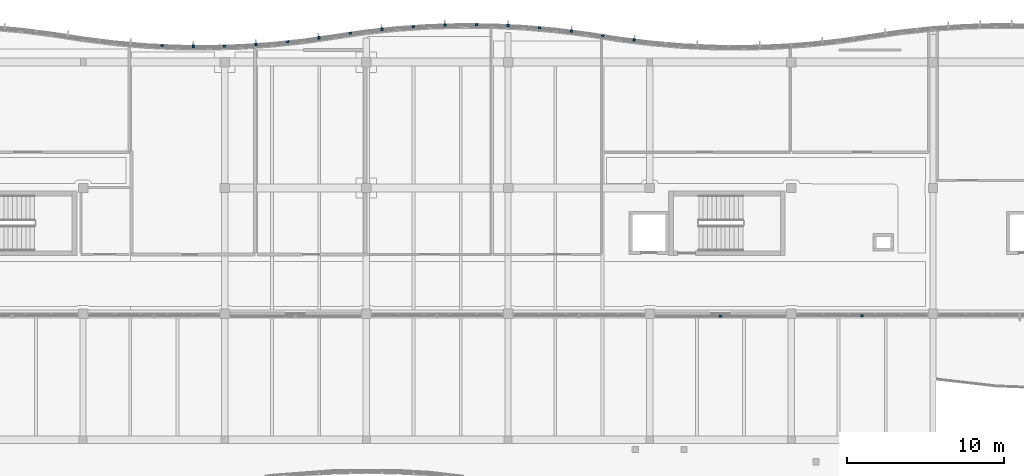
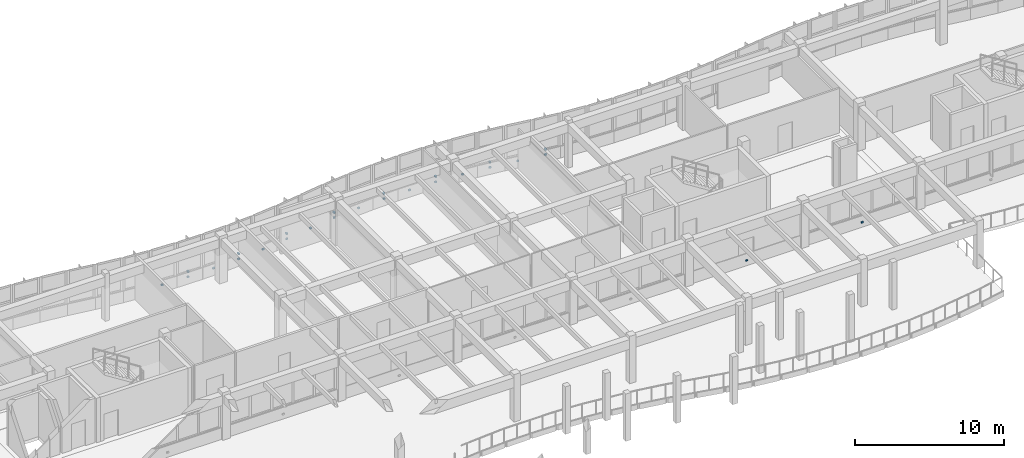
# One storey, part 72 of 89: 26 discrete accessories.
"""IFC4 building model written with IfcOpenShell, lengths in metres."""

import ifcopenshell
import ifcopenshell.guid

model = None  # the IFC model being written
_history = None  # IfcOwnerHistory: only IFC2X3 demands one
_inside = {}  # id of a spatial element -> (the spatial element, [elements in it])
_under = {}  # id of a project, library or spatial element -> (it, [spatial elements below it])
_declared = {}  # id of a project -> (the project, [libraries it declares])
_typed = {}  # id of a type object -> (the type object, [elements of that type])
_made_of = {}  # id of a material, layer set ... -> (it, [elements and type objects made of it])


def new_model(schema):
    """Start an empty IFC model of exactly this schema.

    Asked for "IFC4X3", IfcOpenShell would pick the latest addendum, in which some entities
    have other attributes; the version numbers below select the first issue.
    IFC2X3 requires an IfcOwnerHistory on every rooted entity: one is made here for all.
    """
    global model, _history
    if schema == "IFC4X3":
        model = ifcopenshell.file(schema_version=(4, 3, 0, 0))
    else:
        model = ifcopenshell.file(schema=schema)
    _inside.clear()
    _under.clear()
    _declared.clear()
    _typed.clear()
    _made_of.clear()
    _history = None
    if model.schema == "IFC2X3":
        org = make("IfcOrganization", Name="unknown")
        user = make(
            "IfcPersonAndOrganization",
            ThePerson=make("IfcPerson", FamilyName="unknown"),
            TheOrganization=org,
        )
        app = make(
            "IfcApplication",
            ApplicationDeveloper=org,
            Version="unknown",
            ApplicationFullName="unknown",
            ApplicationIdentifier="unknown",
        )
        _history = make(
            "IfcOwnerHistory",
            OwningUser=user,
            OwningApplication=app,
            ChangeAction="ADDED",
            CreationDate=0,
        )
    return model


def make(cls, **values):
    """One entity of the class cls with the attributes given. An attribute that is None is left unset."""
    return model.create_entity(
        cls, **{name: value for name, value in values.items() if value is not None}
    )


def rooted(cls, **values):
    """An entity with a GlobalId (a new one), such as an element, a storey or a relation."""
    return make(cls, GlobalId=ifcopenshell.guid.new(), OwnerHistory=_history, **values)


def si_unit(unit_type, name, prefix=None):
    """IfcSIUnit, for example si_unit("LENGTHUNIT", "METRE", prefix="MILLI")."""
    return make("IfcSIUnit", UnitType=unit_type, Prefix=prefix, Name=name)


def assignment(units):
    """IfcUnitAssignment: the units of a project."""
    return None if units is None else make("IfcUnitAssignment", Units=units)


def point(xyz):
    """IfcCartesianPoint."""
    return None if xyz is None else make("IfcCartesianPoint", Coordinates=xyz)


def direction(xyz):
    """IfcDirection."""
    return None if xyz is None else make("IfcDirection", DirectionRatios=xyz)


def frame(location, z_axis=None, x_axis=None):
    """IfcAxis2Placement3D, a coordinate frame: its origin and axes. An axis left out is left unset."""
    return make(
        "IfcAxis2Placement3D",
        Location=point(location),
        Axis=direction(z_axis),
        RefDirection=direction(x_axis),
    )


def frame_2d(location, x_axis=None):
    """IfcAxis2Placement2D, a coordinate frame in the plane: its origin and x axis."""
    return make(
        "IfcAxis2Placement2D", Location=point(location), RefDirection=direction(x_axis)
    )


def origin():
    """The frame at (0, 0, 0) with its axes left unset."""
    return frame((0.0, 0.0, 0.0))


def origin_2d():
    """The frame at (0, 0) in the plane with its x axis left unset."""
    return frame_2d((0.0, 0.0))


def place(relative_to, where):
    """IfcLocalPlacement: puts the frame where relative to a parent placement (None: the world)."""
    return make(
        "IfcLocalPlacement", PlacementRelTo=relative_to, RelativePlacement=where
    )


def context(
    kind, dimensions, precision=None, world=None, true_north=None, identifier=None
):
    """IfcGeometricRepresentationContext, for example the 3D "Model" context."""
    return make(
        "IfcGeometricRepresentationContext",
        ContextIdentifier=identifier,
        ContextType=kind,
        CoordinateSpaceDimension=dimensions,
        Precision=precision,
        WorldCoordinateSystem=world,
        TrueNorth=true_north,
    )


def subcontext(parent, identifier, kind, view, scale=None):
    """IfcGeometricRepresentationSubContext, for example "Body" below "Model"."""
    return make(
        "IfcGeometricRepresentationSubContext",
        ContextIdentifier=identifier,
        ContextType=kind,
        ParentContext=parent,
        TargetScale=scale,
        TargetView=view,
    )


def project(units=None, contexts=None):
    """IfcProject with its units and contexts."""
    return rooted(
        "IfcProject",
        Name="project",
        RepresentationContexts=contexts,
        UnitsInContext=assignment(units),
    )


def spatial(cls, under=None, at=None, **own):
    """A site, building, storey or space (cls), placed at a placement, below another one or the project."""
    s = rooted(cls, ObjectPlacement=at, **own)
    if under is not None:
        _under.setdefault(under.id(), (under, []))[1].append(s)
    return s


def profile(cls, at=None, kind="AREA", **sizes):
    """A parametric profile (cls). Its sizes go by their IFC names, for example OverallWidth=200.0."""
    return make(cls, ProfileType=kind, Position=at, **sizes)


def rectangle(**sizes):
    """IfcRectangleProfileDef."""
    return profile("IfcRectangleProfileDef", **sizes)


def extrude(swept, where, along, depth):
    """IfcExtrudedAreaSolid: the profile swept, set in the frame where, extruded along a direction by depth."""
    return make(
        "IfcExtrudedAreaSolid",
        SweptArea=swept,
        Position=where,
        ExtrudedDirection=direction(along),
        Depth=depth,
    )


def shape(context_of_items, identifier, shape_type, items):
    """IfcShapeRepresentation: the items that make up one representation, for example the "Body"."""
    return make(
        "IfcShapeRepresentation",
        ContextOfItems=context_of_items,
        RepresentationIdentifier=identifier,
        RepresentationType=shape_type,
        Items=items,
    )


def material(Name=None, Category=None):
    """IfcMaterial."""
    return make("IfcMaterial", Name=Name, Category=Category)


def made_of(thing, what):
    """Note that an element or type object is made of a material, layer set ...; save() writes the relation."""
    if what is not None:
        _made_of.setdefault(what.id(), (what, []))[1].append(thing)
    return thing


def type_object(cls, material=None, **own):
    """A type object (cls), such as IfcWallType, which elements share."""
    return made_of(rooted(cls, **own), material)


def element(
    cls,
    number,
    at=None,
    inside=None,
    cuts=None,
    type_object=None,
    material=None,
    context=None,
    identifier="Body",
    shape_type=None,
    held_by="IfcProductDefinitionShape",
    body=None,
    shapes=None,
    **own,
):
    """One element of the class cls, such as IfcWall. Its Tag is "e" and its number.

    at: its placement. inside: the storey or other place that contains it. cuts: it is an
    opening in that element (IfcRelVoidsElement). A single representation is given by context,
    identifier, shape_type and body (its items); several are given by shapes. held_by: the class
    of the entity that holds the representations. save() writes the other relations.
    """
    e = rooted(cls, Tag="e%d" % number, ObjectPlacement=at, **own)
    if body is not None:
        shapes = [shape(context, identifier, shape_type, body)]
    if shapes is not None:
        e.Representation = make(held_by, Representations=shapes)
    if inside is not None:
        _inside.setdefault(inside.id(), (inside, []))[1].append(e)
    if cuts is not None:
        rooted(
            "IfcRelVoidsElement", RelatingBuildingElement=cuts, RelatedOpeningElement=e
        )
    if type_object is not None:
        _typed.setdefault(type_object.id(), (type_object, []))[1].append(e)
    return made_of(e, material)


def aggregate(whole, parts):
    """IfcRelAggregates: a whole, such as a stair, and the parts it consists of."""
    return rooted("IfcRelAggregates", RelatingObject=whole, RelatedObjects=parts)


def save(model, path):
    """Write the relations noted so far, then the file.

    IfcRelAggregates (storeys below a building ...), IfcRelContainedInSpatialStructure (elements
    in a storey), IfcRelDefinesByType, IfcRelAssociatesMaterial and IfcRelDeclares: one each for
    every whole, place, type object, material and project.
    """
    for whole, parts in _under.values():
        aggregate(whole, parts)
    for where, things in _inside.values():
        rooted(
            "IfcRelContainedInSpatialStructure",
            RelatedElements=things,
            RelatingStructure=where,
        )
    for kind, things in _typed.values():
        rooted("IfcRelDefinesByType", RelatedObjects=things, RelatingType=kind)
    for what, things in _made_of.values():
        rooted("IfcRelAssociatesMaterial", RelatedObjects=things, RelatingMaterial=what)
    for by, libraries in _declared.values():
        rooted("IfcRelDeclares", RelatingContext=by, RelatedDefinitions=libraries)
    model.write(path)


model = new_model("IFC4")

# Units and contexts
model_context = context("Model", 3, precision=1e-05, world=origin(), true_north=direction((0.0, 1.0)))
body_context = subcontext(model_context, "Body", "Model", "MODEL_VIEW")
ifc_project = project(units=[si_unit("LENGTHUNIT", "METRE"), si_unit("AREAUNIT", "SQUARE_METRE"), si_unit("VOLUMEUNIT", "CUBIC_METRE"), si_unit("PLANEANGLEUNIT", "RADIAN"), si_unit("MASSUNIT", "GRAM", prefix="KILO")], contexts=[model_context])

# Site, building, storey
site_placement = place(None, origin())
site = spatial("IfcSite", under=ifc_project, at=site_placement, CompositionType="ELEMENT")
building_placement = place(site_placement, origin())
building = spatial("IfcBuilding", under=site, at=building_placement, Name="Tonlespit Floodbar School", CompositionType="ELEMENT")
storey_placement = place(building_placement, frame((0.0, 0.0, 4.5)))
storey = spatial("IfcBuildingStorey", under=building, at=storey_placement, Name="L01", CompositionType="ELEMENT", Elevation=4.5)

# Discrete accessories
ifc_material = material(Name="Galvanised Steel", Category="steel")
discrete_accessory_type = type_object("IfcDiscreteAccessoryType", Name="Bracket_Facade_S355", PredefinedType="BRACKET", material=ifc_material)
for number, where, z_axis, x_axis, name in (
    (1, (67.00634765625, 121.05029296875, 0.35498046875), (0.0, 0.0, 1.0), (0.998842769234, -0.048094930587, 0.0), "L01 white band support bracket 0059"),
    (2, (69.001220703125, 120.99267578125, 0.35498046875), (0.0, 0.0, 1.0), (0.999953926969, -0.009599163462, 0.0), "L01 white band support bracket 0060"),
):
    element("IfcDiscreteAccessory", number, at=place(storey_placement, frame(where, z_axis=z_axis, x_axis=x_axis)), inside=storey, type_object=discrete_accessory_type, Name=name, PredefinedType="BRACKET", context=body_context, shape_type="SweptSolid", body=[
        extrude(rectangle(XDim=0.159912109375, YDim=0.1201171875, at=origin_2d()), origin(), (0.0, 0.0, 1.0), 0.1201171875),
    ])
discrete_accessory_1_placement = place(storey_placement, frame((69.001220703125, 121.002685546875, 0.7802734375), z_axis=(0.0, 0.0, 1.0), x_axis=(0.999953926969, -0.009599163462, 0.0)))
element("IfcDiscreteAccessory", 3, at=discrete_accessory_1_placement, inside=storey, type_object=discrete_accessory_type, Name="Solar fin support bracket 024", PredefinedType="BRACKET", context=body_context, shape_type="SweptSolid", body=[
    extrude(rectangle(XDim=0.1201171875, YDim=0.179931640625, at=origin_2d()), origin(), (0.0, 0.0, 1.0), 0.139892578125),
])
for number, where, z_axis, x_axis, name in (
    (4, (70.996337890625, 121.01171875, 0.35498046875), (0.0, 0.0, 1.0), (0.999584110869, 0.02883756748, 0.0), "L01 white band support bracket 0061"),
    (5, (72.9912109375, 121.10791015625, 0.35498046875), (0.0, 0.0, 1.0), (0.997729639049, 0.067346621018, 0.0), "L01 white band support bracket 0062"),
):
    element("IfcDiscreteAccessory", number, at=place(storey_placement, frame(where, z_axis=z_axis, x_axis=x_axis)), inside=storey, type_object=discrete_accessory_type, Name=name, PredefinedType="BRACKET", context=body_context, shape_type="SweptSolid", body=[
        extrude(rectangle(XDim=0.159912109375, YDim=0.1201171875, at=origin_2d()), origin(), (0.0, 0.0, 1.0), 0.1201171875),
    ])
discrete_accessory_2_placement = place(storey_placement, frame((72.990478515625, 121.117919921875, 0.7802734375), z_axis=(0.0, 0.0, 1.0), x_axis=(0.997729639049, 0.067346621018, 0.0)))
element("IfcDiscreteAccessory", 6, at=discrete_accessory_2_placement, inside=storey, type_object=discrete_accessory_type, Name="Solar fin support bracket 025", PredefinedType="BRACKET", context=body_context, shape_type="SweptSolid", body=[
    extrude(rectangle(XDim=0.1201171875, YDim=0.179931640625, at=origin_2d()), origin(), (0.0, 0.0, 1.0), 0.139892578125),
])
for number, where, z_axis, x_axis, name in (
    (7, (74.986328125, 121.28125, 0.35498046875), (0.0, 0.0, 1.0), (0.99439234017, 0.105753835922, 0.0), "L01 white band support bracket 0063"),
    (8, (76.981201171875, 121.53271484375, 0.35498046875), (0.0, 0.0, 1.0), (0.989537627347, 0.144275029245, 0.0), "L01 white band support bracket 0064"),
):
    element("IfcDiscreteAccessory", number, at=place(storey_placement, frame(where, z_axis=z_axis, x_axis=x_axis)), inside=storey, type_object=discrete_accessory_type, Name=name, PredefinedType="BRACKET", context=body_context, shape_type="SweptSolid", body=[
        extrude(rectangle(XDim=0.159912109375, YDim=0.1201171875, at=origin_2d()), origin(), (0.0, 0.0, 1.0), 0.1201171875),
    ])
discrete_accessory_3_placement = place(storey_placement, frame((76.979736328125, 121.542724609375, 0.7802734375), z_axis=(0.0, 0.0, 1.0), x_axis=(0.989537627347, 0.144275029245, 0.0)))
element("IfcDiscreteAccessory", 9, at=discrete_accessory_3_placement, inside=storey, type_object=discrete_accessory_type, Name="Solar fin support bracket 026", PredefinedType="BRACKET", context=body_context, shape_type="SweptSolid", body=[
    extrude(rectangle(XDim=0.1201171875, YDim=0.179931640625, at=origin_2d()), origin(), (0.0, 0.0, 1.0), 0.139892578125),
])
for number, where, z_axis, x_axis, name in (
    (10, (78.981201171875, 121.824462890625, 0.35498046875), (0.0, 0.0, 1.0), (0.989537627347, 0.144275029245, 0.0), "L01 white band support bracket 0065"),
    (11, (80.986328125, 122.0771484375, 0.35498046875), (0.0, 0.0, 1.0), (0.99439234017, 0.105753835922, 0.0), "L01 white band support bracket 0066"),
):
    element("IfcDiscreteAccessory", number, at=place(storey_placement, frame(where, z_axis=z_axis, x_axis=x_axis)), inside=storey, type_object=discrete_accessory_type, Name=name, PredefinedType="BRACKET", context=body_context, shape_type="SweptSolid", body=[
        extrude(rectangle(XDim=0.159912109375, YDim=0.1201171875, at=origin_2d()), origin(), (0.0, 0.0, 1.0), 0.1201171875),
    ])
discrete_accessory_4_placement = place(storey_placement, frame((80.985107421875, 122.087158203125, 0.7802734375), z_axis=(0.0, 0.0, 1.0), x_axis=(0.99439234017, 0.105753835922, 0.0)))
element("IfcDiscreteAccessory", 12, at=discrete_accessory_4_placement, inside=storey, type_object=discrete_accessory_type, Name="Solar fin support bracket 027", PredefinedType="BRACKET", context=body_context, shape_type="SweptSolid", body=[
    extrude(rectangle(XDim=0.1201171875, YDim=0.179931640625, at=origin_2d()), origin(), (0.0, 0.0, 1.0), 0.139892578125),
])
for number, where, z_axis, x_axis, name in (
    (13, (82.9912109375, 122.25146484375, 0.35498046875), (0.0, 0.0, 1.0), (0.997729639049, 0.067346621018, 0.0), "L01 white band support bracket 0067"),
    (14, (84.996337890625, 122.34814453125, 0.35498046875), (0.0, 0.0, 1.0), (0.999584110869, 0.02883756748, 0.0), "L01 white band support bracket 0068"),
):
    element("IfcDiscreteAccessory", number, at=place(storey_placement, frame(where, z_axis=z_axis, x_axis=x_axis)), inside=storey, type_object=discrete_accessory_type, Name=name, PredefinedType="BRACKET", context=body_context, shape_type="SweptSolid", body=[
        extrude(rectangle(XDim=0.159912109375, YDim=0.1201171875, at=origin_2d()), origin(), (0.0, 0.0, 1.0), 0.1201171875),
    ])
discrete_accessory_5_placement = place(storey_placement, frame((84.99609375, 122.358154296875, 0.7802734375), z_axis=(0.0, 0.0, 1.0), x_axis=(0.999584110869, 0.02883756748, 0.0)))
element("IfcDiscreteAccessory", 15, at=discrete_accessory_5_placement, inside=storey, type_object=discrete_accessory_type, Name="Solar fin support bracket 028", PredefinedType="BRACKET", context=body_context, shape_type="SweptSolid", body=[
    extrude(rectangle(XDim=0.1201171875, YDim=0.179931640625, at=origin_2d()), origin(), (0.0, 0.0, 1.0), 0.139892578125),
])
for number, where, z_axis, x_axis, name in (
    (16, (87.001220703125, 122.367431640625, 0.35498046875), (0.0, 0.0, 1.0), (0.999953926969, -0.009599163462, 0.0), "L01 white band support bracket 0069"),
    (17, (89.00634765625, 122.3095703125, 0.35498046875), (0.0, 0.0, 1.0), (0.998842769234, -0.048094930587, 0.0), "L01 white band support bracket 0070"),
):
    element("IfcDiscreteAccessory", number, at=place(storey_placement, frame(where, z_axis=z_axis, x_axis=x_axis)), inside=storey, type_object=discrete_accessory_type, Name=name, PredefinedType="BRACKET", context=body_context, shape_type="SweptSolid", body=[
        extrude(rectangle(XDim=0.159912109375, YDim=0.1201171875, at=origin_2d()), origin(), (0.0, 0.0, 1.0), 0.1201171875),
    ])
discrete_accessory_6_placement = place(storey_placement, frame((89.006591796875, 122.319580078125, 0.7802734375), z_axis=(0.0, 0.0, 1.0), x_axis=(0.998842769234, -0.048094930587, 0.0)))
element("IfcDiscreteAccessory", 18, at=discrete_accessory_6_placement, inside=storey, type_object=discrete_accessory_type, Name="Solar fin support bracket 029", PredefinedType="BRACKET", context=body_context, shape_type="SweptSolid", body=[
    extrude(rectangle(XDim=0.1201171875, YDim=0.179931640625, at=origin_2d()), origin(), (0.0, 0.0, 1.0), 0.139892578125),
])
for number, where, z_axis, x_axis, name in (
    (19, (91.01123046875, 122.174072265625, 0.35498046875), (0.0, 0.0, 1.0), (0.996245486492, -0.086573267488, 0.0), "L01 white band support bracket 0071"),
    (20, (93.016357421875, 121.960693359375, 0.35498046875), (0.0, 0.0, 1.0), (0.99215533612, -0.125011155539, 0.0), "L01 white band support bracket 0072"),
):
    element("IfcDiscreteAccessory", number, at=place(storey_placement, frame(where, z_axis=z_axis, x_axis=x_axis)), inside=storey, type_object=discrete_accessory_type, Name=name, PredefinedType="BRACKET", context=body_context, shape_type="SweptSolid", body=[
        extrude(rectangle(XDim=0.159912109375, YDim=0.1201171875, at=origin_2d()), origin(), (0.0, 0.0, 1.0), 0.1201171875),
    ])
discrete_accessory_7_placement = place(storey_placement, frame((93.017578125, 121.970703125, 0.7802734375), z_axis=(0.0, 0.0, 1.0), x_axis=(0.99215533612, -0.125011155539, 0.0)))
element("IfcDiscreteAccessory", 21, at=discrete_accessory_7_placement, inside=storey, type_object=discrete_accessory_type, Name="Solar fin support bracket 030", PredefinedType="BRACKET", context=body_context, shape_type="SweptSolid", body=[
    extrude(rectangle(XDim=0.1201171875, YDim=0.179931640625, at=origin_2d()), origin(), (0.0, 0.0, 1.0), 0.139892578125),
])
for number, where, z_axis, x_axis, name in (
    (22, (95.02001953125, 121.678466796875, 0.35498046875), (0.0, 0.0, 1.0), (0.988094768361, -0.153846445322, 0.0), "L01 white band support bracket 0073"),
    (23, (97.016357421875, 121.397216796875, 0.35498046875), (0.0, 0.0, 1.0), (0.99215533612, -0.125011155539, 0.0), "L01 white band support bracket 0074"),
):
    element("IfcDiscreteAccessory", number, at=place(storey_placement, frame(where, z_axis=z_axis, x_axis=x_axis)), inside=storey, type_object=discrete_accessory_type, Name=name, PredefinedType="BRACKET", context=body_context, shape_type="SweptSolid", body=[
        extrude(rectangle(XDim=0.159912109375, YDim=0.1201171875, at=origin_2d()), origin(), (0.0, 0.0, 1.0), 0.1201171875),
    ])
discrete_accessory_8_placement = place(storey_placement, frame((97.017578125, 121.4072265625, 0.7802734375), z_axis=(0.0, 0.0, 1.0), x_axis=(0.99215533612, -0.125011155539, 0.0)))
element("IfcDiscreteAccessory", 24, at=discrete_accessory_8_placement, inside=storey, type_object=discrete_accessory_type, Name="Solar fin support bracket 031", PredefinedType="BRACKET", context=body_context, shape_type="SweptSolid", body=[
    extrude(rectangle(XDim=0.1201171875, YDim=0.179931640625, at=origin_2d()), origin(), (0.0, 0.0, 1.0), 0.139892578125),
])
for number, where, z_axis, x_axis, name in (
    (25, (111.5, 103.8701171875, 0.35498046875), (0.0, 0.0, 1.0), (-1.0, 0.0, 0.0), "L01 white band support bracket 0084"),
    (26, (102.5, 103.85009765625, 0.3798828125), (0.0, 0.0, 1.0), (-1.0, 0.0, 0.0), "L01 white band support bracket 0085"),
):
    element("IfcDiscreteAccessory", number, at=place(storey_placement, frame(where, z_axis=z_axis, x_axis=x_axis)), inside=storey, type_object=discrete_accessory_type, Name=name, PredefinedType="BRACKET", context=body_context, shape_type="SweptSolid", body=[
        extrude(rectangle(XDim=0.159912109375, YDim=0.1201171875, at=origin_2d()), origin(), (0.0, 0.0, 1.0), 0.1201171875),
    ])

save(model, "model.ifc")
